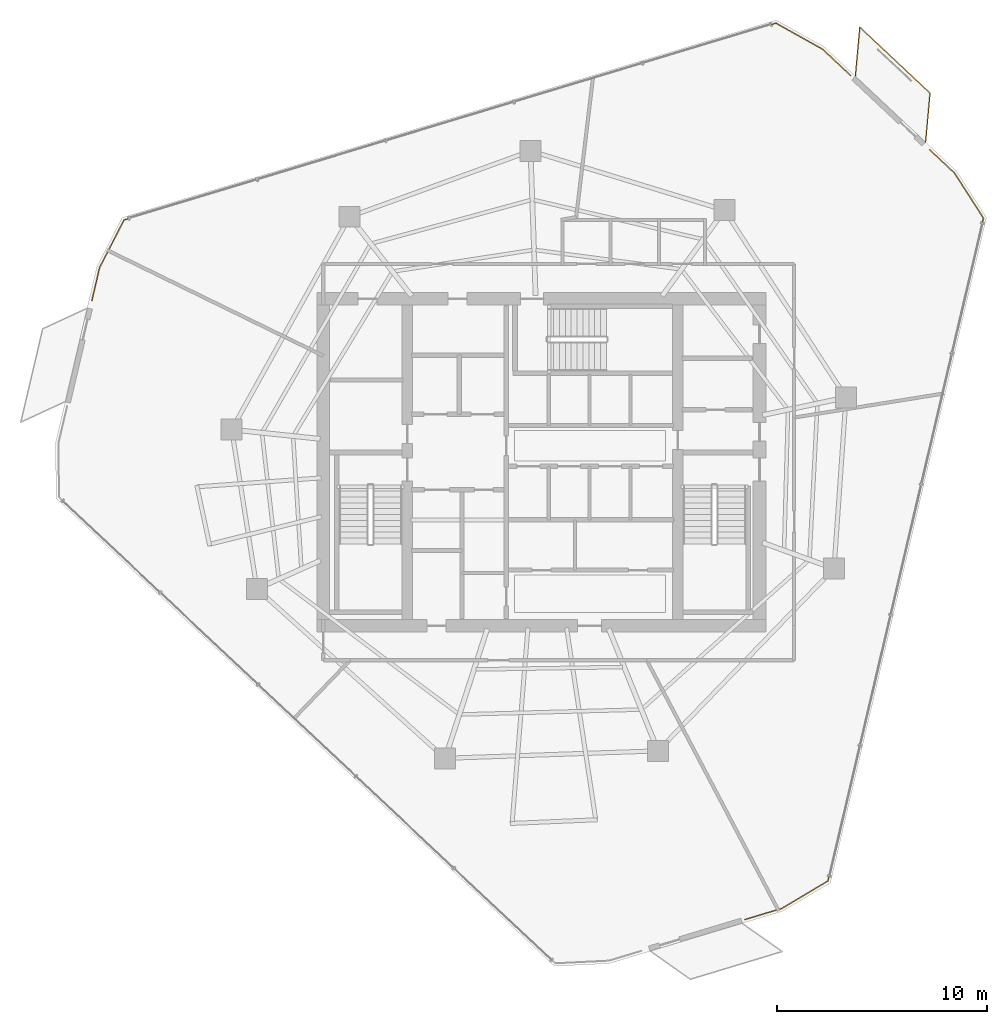
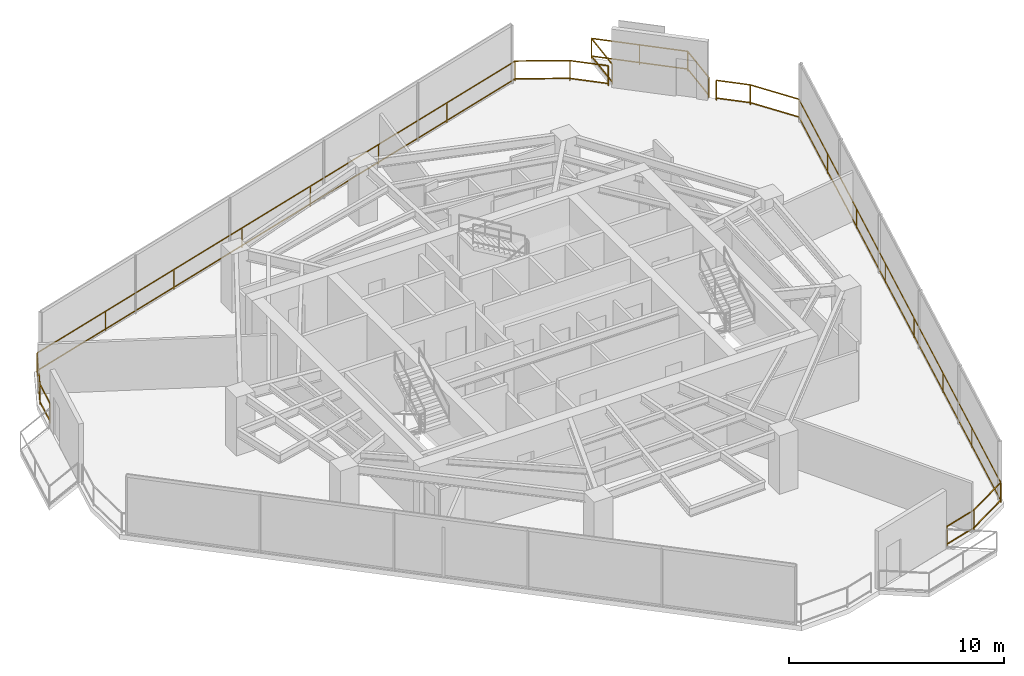
# One storey, part 19 of 19: 4 railings.
"""IFC4 building model written with IfcOpenShell, lengths in metres."""

from ifc_helpers import new_model, si_unit, direction, frame, origin, origin_2d, place, context, subcontext, project, spatial, rectangle, extrude, material, type_object, element, save


model = new_model("IFC4")

# Units and contexts
model_context = context("Model", 3, precision=1e-05, world=origin(), true_north=direction((0.0, 1.0)))
body_context = subcontext(model_context, "Body", "Model", "MODEL_VIEW")
ifc_project = project(units=[si_unit("LENGTHUNIT", "METRE"), si_unit("AREAUNIT", "SQUARE_METRE"), si_unit("VOLUMEUNIT", "CUBIC_METRE"), si_unit("PLANEANGLEUNIT", "RADIAN"), si_unit("MASSUNIT", "GRAM", prefix="KILO")], contexts=[model_context])

# Site, building, storey
site_placement = place(None, origin())
site = spatial("IfcSite", under=ifc_project, at=site_placement, CompositionType="ELEMENT")
building_placement = place(site_placement, origin())
building = spatial("IfcBuilding", under=site, at=building_placement, Name="Qarnah Convention Tower", CompositionType="ELEMENT")
storey_placement = place(building_placement, frame((0.0, 0.0, 129.300048828125)))
storey = spatial("IfcBuildingStorey", under=building, at=storey_placement, Name="L34", CompositionType="ELEMENT", Elevation=129.300048828125)

# Railings
ifc_material = material(Name="Black anodised aluminium", Category="aluminium")
railing_type = type_object("IfcRailingType", Name="RL-EXT-GUARD-1150", PredefinedType="GUARDRAIL", material=ifc_material)
railing_1_placement = place(storey_placement, frame((50.611083984375, 46.087890625, 0.0)))
element("IfcRailing", 1, at=railing_1_placement, inside=storey, type_object=railing_type, Name="L34 slab-edge perimeter safety guard 01", PredefinedType="GUARDRAIL", context=body_context, shape_type="SweptSolid", body=[
    extrude(rectangle(XDim=0.048095703125, YDim=0.048095703125, at=origin_2d()), frame((0.0, 0.0, 1.1259765625), z_axis=(0.729089279638, -0.684418601673, 0.0), x_axis=(0.684418601673, 0.729089279638, 0.0)), (0.0, 0.0, 1.0), 1.83642578125),
    extrude(rectangle(XDim=0.048095703125, YDim=0.048095703125, at=origin_2d()), frame((0.0, 0.0, 0.1201171875), z_axis=(0.729089279638, -0.684418601673, 0.0), x_axis=(0.684418601673, 0.729089279638, 0.0)), (0.0, 0.0, 1.0), 1.83642578125),
    extrude(rectangle(XDim=0.0419921875, YDim=0.0419921875, at=origin_2d()), origin(), (0.0, 0.0, 1.0), 1.101806640625),
    extrude(rectangle(XDim=0.0419921875, YDim=0.0419921875, at=origin_2d()), frame((1.3388671875, -1.2568359375, 0.0)), (0.0, 0.0, 1.0), 1.101806640625),
])
railing_2_placement = place(storey_placement, frame((55.7109375, 41.299072265625, 0.0)))
element("IfcRailing", 2, at=railing_2_placement, inside=storey, type_object=railing_type, Name="L34 slab-edge perimeter safety guard 02", PredefinedType="GUARDRAIL", context=body_context, shape_type="SweptSolid", body=[
    extrude(rectangle(XDim=0.048095703125, YDim=0.048095703125, at=origin_2d()), frame((0.0, 0.0, 1.1259765625), z_axis=(0.729190723623, -0.684310520584, 0.0), x_axis=(0.684310520584, 0.729190723623, 0.0)), (0.0, 0.0, 1.0), 1.62646484375),
    extrude(rectangle(XDim=0.048095703125, YDim=0.048095703125, at=origin_2d()), frame((0.0, 0.0, 0.1201171875), z_axis=(0.729190723623, -0.684310520584, 0.0), x_axis=(0.684310520584, 0.729190723623, 0.0)), (0.0, 0.0, 1.0), 1.62646484375),
    extrude(rectangle(XDim=0.048095703125, YDim=0.048095703125, at=origin_2d()), frame((1.18603515625, -1.113037109375, 1.1259765625), z_axis=(0.541357200324, -0.840792710279, 0.0), x_axis=(0.840792710279, 0.541357200324, 0.0)), (0.0, 0.0, 1.0), 2.55126953125),
    extrude(rectangle(XDim=0.048095703125, YDim=0.048095703125, at=origin_2d()), frame((1.18603515625, -1.113037109375, 0.1201171875), z_axis=(0.541357200324, -0.840792710279, 0.0), x_axis=(0.840792710279, 0.541357200324, 0.0)), (0.0, 0.0, 1.0), 2.55126953125),
    extrude(rectangle(XDim=0.048095703125, YDim=0.048095703125, at=origin_2d()), frame((2.567138671875, -3.258056640625, 1.1259765625), z_axis=(-0.228352011397, -0.973578635186, 0.0), x_axis=(0.973578635186, -0.228352011397, 0.0)), (0.0, 0.0, 1.0), 32.471923828125),
    extrude(rectangle(XDim=0.048095703125, YDim=0.048095703125, at=origin_2d()), frame((2.567138671875, -3.258056640625, 0.1201171875), z_axis=(-0.228352011397, -0.973578635186, 0.0), x_axis=(0.973578635186, -0.228352011397, 0.0)), (0.0, 0.0, 1.0), 32.471923828125),
    extrude(rectangle(XDim=0.048095703125, YDim=0.048095703125, at=origin_2d()), frame((-4.847900390625, -34.8720703125, 1.1259765625), z_axis=(-0.858815811624, -0.512284492938, 0.0), x_axis=(0.512284492938, -0.858815811624, 0.0)), (0.0, 0.0, 1.0), 2.551025390625),
    extrude(rectangle(XDim=0.048095703125, YDim=0.048095703125, at=origin_2d()), frame((-4.847900390625, -34.8720703125, 0.1201171875), z_axis=(-0.858815811624, -0.512284492938, 0.0), x_axis=(0.512284492938, -0.858815811624, 0.0)), (0.0, 0.0, 1.0), 2.551025390625),
    extrude(rectangle(XDim=0.048095703125, YDim=0.048095703125, at=origin_2d()), frame((-7.038818359375, -36.178955078125, 1.1259765625), z_axis=(-0.957331178787, -0.288993103936, 0.0), x_axis=(0.288993103936, -0.957331178787, 0.0)), (0.0, 0.0, 1.0), 1.83740234375),
    extrude(rectangle(XDim=0.048095703125, YDim=0.048095703125, at=origin_2d()), frame((-7.038818359375, -36.178955078125, 0.1201171875), z_axis=(-0.957331178787, -0.288993103936, 0.0), x_axis=(0.288993103936, -0.957331178787, 0.0)), (0.0, 0.0, 1.0), 1.83740234375),
    extrude(rectangle(XDim=0.0419921875, YDim=0.0419921875, at=origin_2d()), origin(), (0.0, 0.0, 1.0), 1.101806640625),
    extrude(rectangle(XDim=0.0419921875, YDim=0.0419921875, at=origin_2d()), frame((1.18603515625, -1.113037109375, 0.0)), (0.0, 0.0, 1.0), 1.101806640625),
    extrude(rectangle(XDim=0.0419921875, YDim=0.0419921875, at=origin_2d()), frame((2.567138671875, -3.258056640625, 0.0)), (0.0, 0.0, 1.0), 1.101806640625),
    extrude(rectangle(XDim=0.0419921875, YDim=0.0419921875, at=origin_2d()), frame((1.5078125, -7.7744140625, 0.0)), (0.0, 0.0, 1.0), 1.101806640625),
    extrude(rectangle(XDim=0.0419921875, YDim=0.0419921875, at=origin_2d()), frame((0.448486328125, -12.29052734375, 0.0)), (0.0, 0.0, 1.0), 1.101806640625),
    extrude(rectangle(XDim=0.0419921875, YDim=0.0419921875, at=origin_2d()), frame((-0.61083984375, -16.806884765625, 0.0)), (0.0, 0.0, 1.0), 1.101806640625),
    extrude(rectangle(XDim=0.0419921875, YDim=0.0419921875, at=origin_2d()), frame((-1.669921875, -21.3232421875, 0.0)), (0.0, 0.0, 1.0), 1.101806640625),
    extrude(rectangle(XDim=0.0419921875, YDim=0.0419921875, at=origin_2d()), frame((-2.729248046875, -25.839599609375, 0.0)), (0.0, 0.0, 1.0), 1.101806640625),
    extrude(rectangle(XDim=0.0419921875, YDim=0.0419921875, at=origin_2d()), frame((-3.78857421875, -30.355712890625, 0.0)), (0.0, 0.0, 1.0), 1.101806640625),
    extrude(rectangle(XDim=0.0419921875, YDim=0.0419921875, at=origin_2d()), frame((-4.847900390625, -34.8720703125, 0.0)), (0.0, 0.0, 1.0), 1.101806640625),
    extrude(rectangle(XDim=0.0419921875, YDim=0.0419921875, at=origin_2d()), frame((-7.038818359375, -36.178955078125, 0.0)), (0.0, 0.0, 1.0), 1.101806640625),
    extrude(rectangle(XDim=0.0419921875, YDim=0.0419921875, at=origin_2d()), frame((-8.7978515625, -36.7099609375, 0.0)), (0.0, 0.0, 1.0), 1.101806640625),
])
railing_3_placement = place(storey_placement, frame((15.760009765625, 34.093994140625, 0.0)))
element("IfcRailing", 3, at=railing_3_placement, inside=storey, type_object=railing_type, Name="L34 slab-edge perimeter safety guard 04", PredefinedType="GUARDRAIL", context=body_context, shape_type="SweptSolid", body=[
    extrude(rectangle(XDim=0.048095703125, YDim=0.048095703125, at=origin_2d()), frame((0.0, 0.0, 1.1259765625), z_axis=(0.228102413602, 0.973637144376, 0.0), x_axis=(-0.973637144376, 0.228102413602, 0.0)), (0.0, 0.0, 1.0), 1.626953125),
    extrude(rectangle(XDim=0.048095703125, YDim=0.048095703125, at=origin_2d()), frame((0.0, 0.0, 0.1201171875), z_axis=(0.228102413602, 0.973637144376, 0.0), x_axis=(-0.973637144376, 0.228102413602, 0.0)), (0.0, 0.0, 1.0), 1.626953125),
    extrude(rectangle(XDim=0.048095703125, YDim=0.048095703125, at=origin_2d()), frame((0.37109375, 1.583984375, 1.1259765625), z_axis=(0.457062557573, 0.889434549849, 0.0), x_axis=(-0.889434549849, 0.457062557573, 0.0)), (0.0, 0.0, 1.0), 2.551025390625),
    extrude(rectangle(XDim=0.048095703125, YDim=0.048095703125, at=origin_2d()), frame((0.37109375, 1.583984375, 0.1201171875), z_axis=(0.457062557573, 0.889434549849, 0.0), x_axis=(-0.889434549849, 0.457062557573, 0.0)), (0.0, 0.0, 1.0), 2.551025390625),
    extrude(rectangle(XDim=0.048095703125, YDim=0.048095703125, at=origin_2d()), frame((1.537109375, 3.85302734375, 1.1259765625), z_axis=(0.957316995667, 0.289040083392, 0.0), x_axis=(-0.289040083392, 0.957316995667, 0.0)), (0.0, 0.0, 1.0), 32.472900390625),
    extrude(rectangle(XDim=0.048095703125, YDim=0.048095703125, at=origin_2d()), frame((1.537109375, 3.85302734375, 0.1201171875), z_axis=(0.957316995667, 0.289040083392, 0.0), x_axis=(-0.289040083392, 0.957316995667, 0.0)), (0.0, 0.0, 1.0), 32.472900390625),
    extrude(rectangle(XDim=0.048095703125, YDim=0.048095703125, at=origin_2d()), frame((32.6240234375, 13.239013671875, 1.1259765625), z_axis=(0.872845192598, -0.487997202614, 0.0), x_axis=(0.487997202614, 0.872845192598, 0.0)), (0.0, 0.0, 1.0), 2.551513671875),
    extrude(rectangle(XDim=0.048095703125, YDim=0.048095703125, at=origin_2d()), frame((32.6240234375, 13.239013671875, 0.1201171875), z_axis=(0.872845192598, -0.487997202614, 0.0), x_axis=(0.487997202614, 0.872845192598, 0.0)), (0.0, 0.0, 1.0), 2.551513671875),
    extrude(rectangle(XDim=0.0419921875, YDim=0.0419921875, at=origin_2d()), origin(), (0.0, 0.0, 1.0), 1.101806640625),
    extrude(rectangle(XDim=0.0419921875, YDim=0.0419921875, at=origin_2d()), frame((0.37109375, 1.583984375, 0.0)), (0.0, 0.0, 1.0), 1.101806640625),
    extrude(rectangle(XDim=0.0419921875, YDim=0.0419921875, at=origin_2d()), frame((1.537109375, 3.85302734375, 0.0)), (0.0, 0.0, 1.0), 1.101806640625),
    extrude(rectangle(XDim=0.0419921875, YDim=0.0419921875, at=origin_2d()), frame((5.97802734375, 5.19384765625, 0.0)), (0.0, 0.0, 1.0), 1.101806640625),
    extrude(rectangle(XDim=0.0419921875, YDim=0.0419921875, at=origin_2d()), frame((10.419189453125, 6.53466796875, 0.0)), (0.0, 0.0, 1.0), 1.101806640625),
    extrude(rectangle(XDim=0.0419921875, YDim=0.0419921875, at=origin_2d()), frame((14.860107421875, 7.87548828125, 0.0)), (0.0, 0.0, 1.0), 1.101806640625),
    extrude(rectangle(XDim=0.0419921875, YDim=0.0419921875, at=origin_2d()), frame((19.301025390625, 9.216552734375, 0.0)), (0.0, 0.0, 1.0), 1.101806640625),
    extrude(rectangle(XDim=0.0419921875, YDim=0.0419921875, at=origin_2d()), frame((23.741943359375, 10.557373046875, 0.0)), (0.0, 0.0, 1.0), 1.101806640625),
    extrude(rectangle(XDim=0.0419921875, YDim=0.0419921875, at=origin_2d()), frame((28.18310546875, 11.898193359375, 0.0)), (0.0, 0.0, 1.0), 1.101806640625),
    extrude(rectangle(XDim=0.0419921875, YDim=0.0419921875, at=origin_2d()), frame((32.6240234375, 13.239013671875, 0.0)), (0.0, 0.0, 1.0), 1.101806640625),
    extrude(rectangle(XDim=0.0419921875, YDim=0.0419921875, at=origin_2d()), frame((34.85107421875, 11.993896484375, 0.0)), (0.0, 0.0, 1.0), 1.101806640625),
])
railing_4_placement = place(storey_placement, frame((52.1689453125, 44.81005859375, 0.0)))
element("IfcRailing", 4, at=railing_4_placement, inside=storey, type_object=railing_type, Name="L34 balcony safety guard BAL-L34-C1", PredefinedType="GUARDRAIL", context=body_context, shape_type="SweptSolid", body=[
    extrude(rectangle(XDim=0.048095703125, YDim=0.048095703125, at=origin_2d()), frame((0.0, 0.0, 1.1259765625), z_axis=(0.090788914842, 0.995870158676, 0.0), x_axis=(-0.995870158676, 0.090788914842, 0.0)), (0.0, 0.0, 1.0), 2.34765625),
    extrude(rectangle(XDim=0.048095703125, YDim=0.048095703125, at=origin_2d()), frame((0.0, 0.0, 0.1201171875), z_axis=(0.090788914842, 0.995870158676, 0.0), x_axis=(-0.995870158676, 0.090788914842, 0.0)), (0.0, 0.0, 1.0), 2.34765625),
    extrude(rectangle(XDim=0.048095703125, YDim=0.048095703125, at=origin_2d()), frame((0.213134765625, 2.337890625, 1.1259765625), z_axis=(0.728944378219, -0.68457292779, 0.0), x_axis=(0.68457292779, 0.728944378219, 0.0)), (0.0, 0.0, 1.0), 4.599853515625),
    extrude(rectangle(XDim=0.048095703125, YDim=0.048095703125, at=origin_2d()), frame((0.213134765625, 2.337890625, 0.1201171875), z_axis=(0.728944378219, -0.68457292779, 0.0), x_axis=(0.68457292779, 0.728944378219, 0.0)), (0.0, 0.0, 1.0), 4.599853515625),
    extrude(rectangle(XDim=0.048095703125, YDim=0.048095703125, at=origin_2d()), frame((3.566162109375, -0.81103515625, 1.1259765625), z_axis=(-0.090366974713, -0.995908534897, 0.0), x_axis=(0.995908534897, -0.090366974713, 0.0)), (0.0, 0.0, 1.0), 2.34765625),
    extrude(rectangle(XDim=0.048095703125, YDim=0.048095703125, at=origin_2d()), frame((3.566162109375, -0.81103515625, 0.1201171875), z_axis=(-0.090366974713, -0.995908534897, 0.0), x_axis=(0.995908534897, -0.090366974713, 0.0)), (0.0, 0.0, 1.0), 2.34765625),
    extrude(rectangle(XDim=0.0419921875, YDim=0.0419921875, at=origin_2d()), origin(), (0.0, 0.0, 1.0), 1.101806640625),
    extrude(rectangle(XDim=0.0419921875, YDim=0.0419921875, at=origin_2d()), frame((0.213134765625, 2.337890625, 0.0)), (0.0, 0.0, 1.0), 1.101806640625),
    extrude(rectangle(XDim=0.0419921875, YDim=0.0419921875, at=origin_2d()), frame((1.8896484375, 0.763427734375, 0.0)), (0.0, 0.0, 1.0), 1.101806640625),
    extrude(rectangle(XDim=0.0419921875, YDim=0.0419921875, at=origin_2d()), frame((3.566162109375, -0.81103515625, 0.0)), (0.0, 0.0, 1.0), 1.101806640625),
    extrude(rectangle(XDim=0.0419921875, YDim=0.0419921875, at=origin_2d()), frame((3.35400390625, -3.149169921875, 0.0)), (0.0, 0.0, 1.0), 1.101806640625),
])

save(model, "model.ifc")
